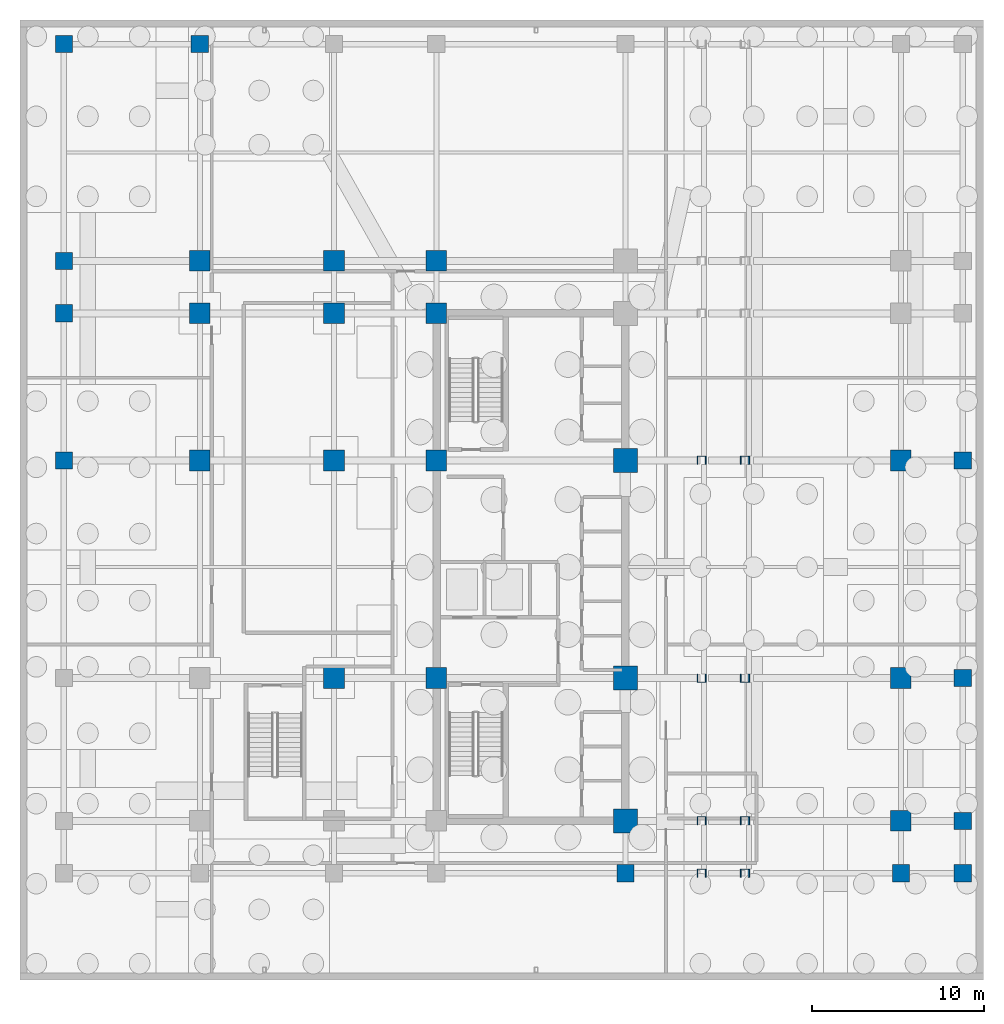
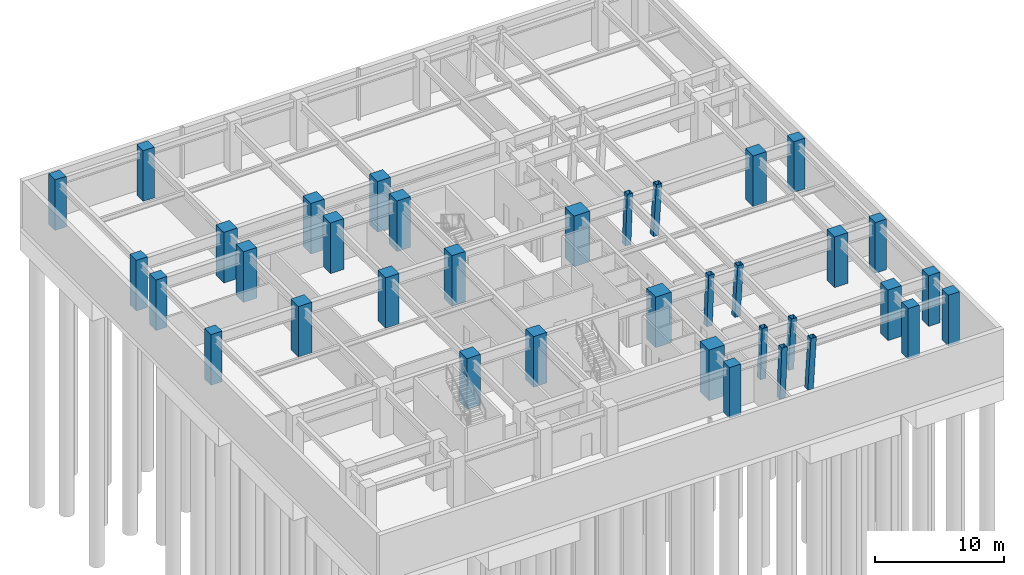
# One storey, part 5 of 13: 36 columns.
"""IFC4 building model written with IfcOpenShell, lengths in metres."""

from ifc_helpers import new_model, si_unit, direction, frame, origin, origin_2d, place, context, subcontext, project, spatial, rectangle, hollow_rectangle, extrude, material, material_profile, profile_set, type_object, element, save


model = new_model("IFC4")

# Units and contexts
model_context = context("Model", 3, precision=1e-05, world=origin(), true_north=direction((0.0, 1.0)))
body_context = subcontext(model_context, "Body", "Model", "MODEL_VIEW")
ifc_project = project(units=[si_unit("LENGTHUNIT", "METRE"), si_unit("AREAUNIT", "SQUARE_METRE"), si_unit("VOLUMEUNIT", "CUBIC_METRE"), si_unit("PLANEANGLEUNIT", "RADIAN"), si_unit("MASSUNIT", "GRAM", prefix="KILO")], contexts=[model_context])

# Site, building, storey
site_placement = place(None, origin())
site = spatial("IfcSite", under=ifc_project, at=site_placement, CompositionType="ELEMENT")
building_placement = place(site_placement, origin())
building = spatial("IfcBuilding", under=site, at=building_placement, Name="Ochreholt Gables", CompositionType="ELEMENT")
storey_placement = place(building_placement, frame((0.0, 0.0, -9.60009765625)))
storey = spatial("IfcBuildingStorey", under=building, at=storey_placement, Name="B2", CompositionType="ELEMENT", Elevation=-9.60009765625)

# Columns
ifc_material_1 = material(Name="Steel CSA G40.21 350W", Category="steel")
ifc_material_profile_1 = material_profile(ifc_material_1, hollow_rectangle(XDim=0.5, YDim=0.5, WallThickness=0.02197265625, at=origin_2d()), Name="HSS500X500X22")
ifc_profile_set_1 = profile_set([ifc_material_profile_1], Name="Steel CSA G40.21 350W")
column_type_1 = type_object("IfcColumnType", Name="COL-HSS500-RAK", PredefinedType="COLUMN", material=ifc_profile_set_1)
for number, where, z_axis, x_axis, name in (
    (1, (39.60009765625, 9.25, 0.0), (0.034971728386, 0.0, 0.99938830202), (0.0, 1.0, 0.0), "B2 Column EMY2"),
    (2, (39.60009765625, 17.550048828125, 0.0), (0.034971728386, 0.0, 0.99938830202), (0.0, 1.0, 0.0), "B2 Column EMY3"),
    (3, (39.60009765625, 30.199951171875, 0.0), (0.034971728386, 0.0, 0.99938830202), (0.0, 1.0, 0.0), "B2 Column EMY4"),
):
    element("IfcColumn", number, at=place(storey_placement, frame(where, z_axis=z_axis, x_axis=x_axis)), inside=storey, type_object=column_type_1, Name=name, PredefinedType="COLUMN", context=body_context, shape_type="SweptSolid", body=[
        extrude(hollow_rectangle(XDim=0.5, YDim=0.5, WallThickness=0.02197265625, at=origin_2d()), origin(), (0.0, 0.0, 1.0), 4.802978515625),
    ])
for number, where, z_axis, x_axis, name in (
    (4, (42.10009765625, 9.25, 0.0), (0.057885584411, 0.0, 0.998323223769), (0.0, 1.0, 0.0), "B2 Column EEY2"),
    (5, (42.10009765625, 17.550048828125, 0.0), (0.057885584411, 0.0, 0.998323223769), (0.0, 1.0, 0.0), "B2 Column EEY3"),
    (6, (42.10009765625, 30.199951171875, 0.0), (0.057885584411, 0.0, 0.998323223769), (0.0, 1.0, 0.0), "B2 Column EEY4"),
):
    element("IfcColumn", number, at=place(storey_placement, frame(where, z_axis=z_axis, x_axis=x_axis)), inside=storey, type_object=column_type_1, Name=name, PredefinedType="COLUMN", context=body_context, shape_type="SweptSolid", body=[
        extrude(hollow_rectangle(XDim=0.5, YDim=0.5, WallThickness=0.02197265625, at=origin_2d()), origin(), (0.0, 0.0, 1.0), 4.80810546875),
    ])
ifc_material_profile_2 = material_profile(ifc_material_1, hollow_rectangle(XDim=0.5, YDim=0.5, WallThickness=0.02197265625, at=origin_2d()), Name="HSS500X500X22")
ifc_profile_set_2 = profile_set([ifc_material_profile_2], Name="Steel CSA G40.21 350W")
column_type_2 = type_object("IfcColumnType", Name="COL-HSS500-RAKE", PredefinedType="COLUMN", material=ifc_profile_set_2)
column_1_placement = place(storey_placement, frame((39.60009765625, 6.199951171875, 0.0), z_axis=(0.034971728386, 0.0, 0.99938830202), x_axis=(0.0, 1.0, 0.0)))
element("IfcColumn", 7, at=column_1_placement, inside=storey, type_object=column_type_2, Name="B2 Column EMY1", PredefinedType="COLUMN", context=body_context, shape_type="SweptSolid", body=[
    extrude(hollow_rectangle(XDim=0.5, YDim=0.5, WallThickness=0.02197265625, at=origin_2d()), origin(), (0.0, 0.0, 1.0), 4.802978515625),
])
column_2_placement = place(storey_placement, frame((42.10009765625, 6.199951171875, 0.0), z_axis=(0.057885584411, 0.0, 0.998323223769), x_axis=(0.0, 1.0, 0.0)))
element("IfcColumn", 8, at=column_2_placement, inside=storey, type_object=column_type_2, Name="B2 Column EEY1", PredefinedType="COLUMN", context=body_context, shape_type="SweptSolid", body=[
    extrude(hollow_rectangle(XDim=0.5, YDim=0.5, WallThickness=0.02197265625, at=origin_2d()), origin(), (0.0, 0.0, 1.0), 4.80810546875),
])
ifc_material_2 = material(Name="Concrete 60 MPa", Category="concrete")
ifc_material_profile_3 = material_profile(ifc_material_2, rectangle(XDim=1.0, YDim=1.0, at=origin_2d()), Name="RC1000X1000")
ifc_profile_set_3 = profile_set([ifc_material_profile_3], Name="Concrete 60 MPa")
column_type_3 = type_object("IfcColumnType", Name="COL-RC1000-EXT", PredefinedType="COLUMN", material=ifc_profile_set_3)
for number, where, z_axis, x_axis, name in (
    (9, (2.550048828125, 30.199951171875, 0.0), (0.0, 0.0, 1.0), (1.0, 0.0, 0.0), "B2 Column W1Y4"),
    (10, (2.550048828125, 38.75, 0.0), (0.0, 0.0, 1.0), (1.0, 0.0, 0.0), "B2 Column W1Y5"),
    (11, (2.550048828125, 41.800048828125, 0.0), (0.0, 0.0, 1.0), (1.0, 0.0, 0.0), "B2 Column W1Y6"),
    (12, (2.550048828125, 54.39990234375, 0.0), (0.0, 0.0, 1.0), (1.0, 0.0, 0.0), "B2 Column W1Y7"),
    (13, (10.449951171875, 54.39990234375, 0.0), (0.0, 0.0, 1.0), (1.0, 0.0, 0.0), "B2 Column W2Y7"),
    (14, (35.199951171875, 6.199951171875, 0.0), (0.0, 0.0, 1.0), (1.0, 0.0, 0.0), "B2 Column C2Y1"),
    (15, (51.199951171875, 6.199951171875, 0.0), (0.0, 0.0, 1.0), (1.0, 0.0, 0.0), "B2 Column E3Y1"),
    (16, (54.800048828125, 6.199951171875, 0.0), (0.0, 0.0, 1.0), (1.0, 0.0, 0.0), "B2 Column E4Y1"),
    (17, (54.800048828125, 9.25, 0.0), (0.0, 0.0, 1.0), (1.0, 0.0, 0.0), "B2 Column E4Y2"),
    (18, (54.800048828125, 17.550048828125, 0.0), (0.0, 0.0, 1.0), (1.0, 0.0, 0.0), "B2 Column E4Y3"),
    (19, (54.800048828125, 30.199951171875, 0.0), (0.0, 0.0, 1.0), (1.0, 0.0, 0.0), "B2 Column E4Y4"),
):
    element("IfcColumn", number, at=place(storey_placement, frame(where, z_axis=z_axis, x_axis=x_axis)), inside=storey, type_object=column_type_3, Name=name, PredefinedType="COLUMN", context=body_context, shape_type="SweptSolid", body=[
        extrude(rectangle(XDim=1.0, YDim=1.0, at=origin_2d()), origin(), (0.0, 0.0, 1.0), 4.800048828125),
    ])
ifc_material_profile_4 = material_profile(ifc_material_2, rectangle(XDim=1.199951171875, YDim=1.199951171875, at=origin_2d()), Name="RC1200X1200")
ifc_profile_set_4 = profile_set([ifc_material_profile_4], Name="Concrete 60 MPa")
column_type_4 = type_object("IfcColumnType", Name="COL-RC1200-BASE", PredefinedType="COLUMN", material=ifc_profile_set_4)
for number, where, z_axis, x_axis, name in (
    (20, (10.449951171875, 30.199951171875, 0.0), (0.0, 0.0, 1.0), (1.0, 0.0, 0.0), "B2 Column W2Y4"),
    (21, (10.449951171875, 38.75, 0.0), (0.0, 0.0, 1.0), (1.0, 0.0, 0.0), "B2 Column W2Y5"),
    (22, (10.449951171875, 41.800048828125, 0.0), (0.0, 0.0, 1.0), (1.0, 0.0, 0.0), "B2 Column W2Y6"),
    (23, (18.25, 17.550048828125, 0.0), (0.0, 0.0, 1.0), (1.0, 0.0, 0.0), "B2 Column W3Y3"),
    (24, (18.25, 30.199951171875, 0.0), (0.0, 0.0, 1.0), (1.0, 0.0, 0.0), "B2 Column W3Y4"),
    (25, (18.25, 38.75, 0.0), (0.0, 0.0, 1.0), (1.0, 0.0, 0.0), "B2 Column W3Y5"),
    (26, (18.25, 41.800048828125, 0.0), (0.0, 0.0, 1.0), (1.0, 0.0, 0.0), "B2 Column W3Y6"),
    (27, (24.199951171875, 17.550048828125, 0.0), (0.0, 0.0, 1.0), (1.0, 0.0, 0.0), "B2 Column C1Y3"),
    (28, (24.199951171875, 30.199951171875, 0.0), (0.0, 0.0, 1.0), (1.0, 0.0, 0.0), "B2 Column C1Y4"),
    (29, (24.199951171875, 38.75, 0.0), (0.0, 0.0, 1.0), (1.0, 0.0, 0.0), "B2 Column C1Y5"),
    (30, (24.199951171875, 41.800048828125, 0.0), (0.0, 0.0, 1.0), (1.0, 0.0, 0.0), "B2 Column C1Y6"),
    (31, (51.199951171875, 9.25, 0.0), (0.0, 0.0, 1.0), (1.0, 0.0, 0.0), "B2 Column E3Y2"),
    (32, (51.199951171875, 17.550048828125, 0.0), (0.0, 0.0, 1.0), (1.0, 0.0, 0.0), "B2 Column E3Y3"),
    (33, (51.199951171875, 30.199951171875, 0.0), (0.0, 0.0, 1.0), (1.0, 0.0, 0.0), "B2 Column E3Y4"),
):
    element("IfcColumn", number, at=place(storey_placement, frame(where, z_axis=z_axis, x_axis=x_axis)), inside=storey, type_object=column_type_4, Name=name, PredefinedType="COLUMN", context=body_context, shape_type="SweptSolid", body=[
        extrude(rectangle(XDim=1.199951171875, YDim=1.199951171875, at=origin_2d()), origin(), (0.0, 0.0, 1.0), 4.800048828125),
    ])
ifc_material_profile_5 = material_profile(ifc_material_2, rectangle(XDim=1.39990234375, YDim=1.39990234375, at=origin_2d()), Name="RC1400X1400")
ifc_profile_set_5 = profile_set([ifc_material_profile_5], Name="Concrete 60 MPa")
column_type_5 = type_object("IfcColumnType", Name="COL-RC1400-BASE", PredefinedType="COLUMN", material=ifc_profile_set_5)
for number, where, z_axis, x_axis, name in (
    (34, (35.199951171875, 9.25, 0.0), (0.0, 0.0, 1.0), (1.0, 0.0, 0.0), "B2 Column C2Y2"),
    (35, (35.199951171875, 17.550048828125, 0.0), (0.0, 0.0, 1.0), (1.0, 0.0, 0.0), "B2 Column C2Y3"),
    (36, (35.199951171875, 30.199951171875, 0.0), (0.0, 0.0, 1.0), (1.0, 0.0, 0.0), "B2 Column C2Y4"),
):
    element("IfcColumn", number, at=place(storey_placement, frame(where, z_axis=z_axis, x_axis=x_axis)), inside=storey, type_object=column_type_5, Name=name, PredefinedType="COLUMN", context=body_context, shape_type="SweptSolid", body=[
        extrude(rectangle(XDim=1.39990234375, YDim=1.39990234375, at=origin_2d()), origin(), (0.0, 0.0, 1.0), 4.800048828125),
    ])

save(model, "model.ifc")
